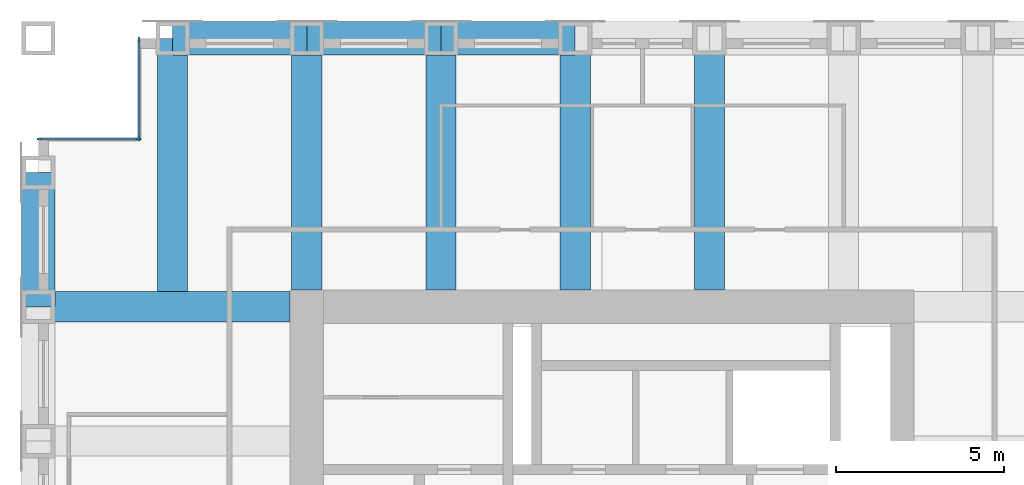
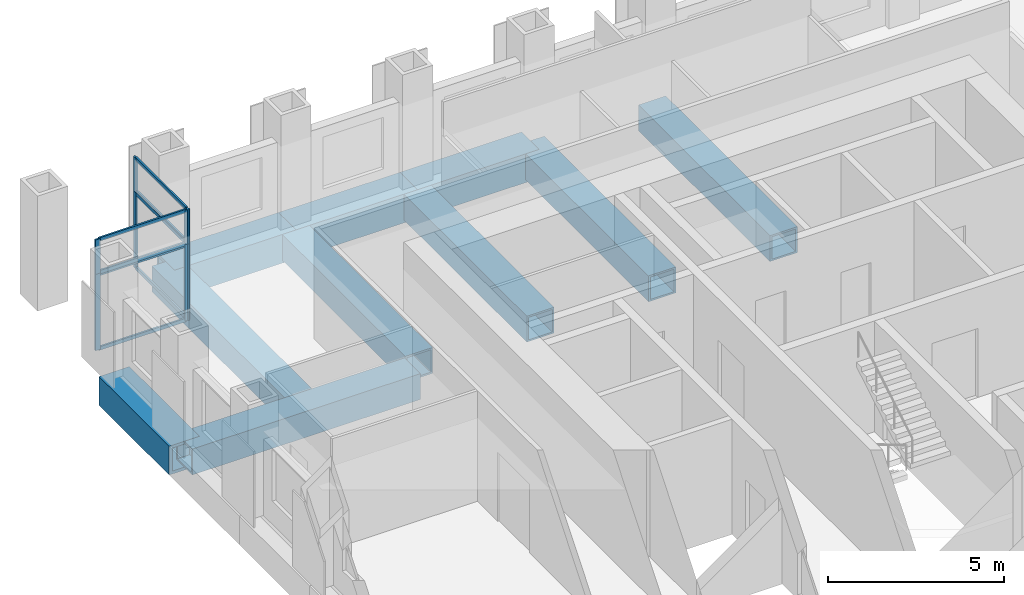
# One storey, part 5 of 12: 16 members, 10 beams, 4 elements without a shape of their own.
"""IFC4 building model written with IfcOpenShell, lengths in metres."""

import ifcopenshell
import ifcopenshell.guid

model = None  # the IFC model being written
_history = None  # IfcOwnerHistory: only IFC2X3 demands one
_inside = {}  # id of a spatial element -> (the spatial element, [elements in it])
_under = {}  # id of a project, library or spatial element -> (it, [spatial elements below it])
_declared = {}  # id of a project -> (the project, [libraries it declares])
_typed = {}  # id of a type object -> (the type object, [elements of that type])
_made_of = {}  # id of a material, layer set ... -> (it, [elements and type objects made of it])


def new_model(schema):
    """Start an empty IFC model of exactly this schema.

    Asked for "IFC4X3", IfcOpenShell would pick the latest addendum, in which some entities
    have other attributes; the version numbers below select the first issue.
    IFC2X3 requires an IfcOwnerHistory on every rooted entity: one is made here for all.
    """
    global model, _history
    if schema == "IFC4X3":
        model = ifcopenshell.file(schema_version=(4, 3, 0, 0))
    else:
        model = ifcopenshell.file(schema=schema)
    _inside.clear()
    _under.clear()
    _declared.clear()
    _typed.clear()
    _made_of.clear()
    _history = None
    if model.schema == "IFC2X3":
        org = make("IfcOrganization", Name="unknown")
        user = make(
            "IfcPersonAndOrganization",
            ThePerson=make("IfcPerson", FamilyName="unknown"),
            TheOrganization=org,
        )
        app = make(
            "IfcApplication",
            ApplicationDeveloper=org,
            Version="unknown",
            ApplicationFullName="unknown",
            ApplicationIdentifier="unknown",
        )
        _history = make(
            "IfcOwnerHistory",
            OwningUser=user,
            OwningApplication=app,
            ChangeAction="ADDED",
            CreationDate=0,
        )
    return model


def make(cls, **values):
    """One entity of the class cls with the attributes given. An attribute that is None is left unset."""
    return model.create_entity(
        cls, **{name: value for name, value in values.items() if value is not None}
    )


def rooted(cls, **values):
    """An entity with a GlobalId (a new one), such as an element, a storey or a relation."""
    return make(cls, GlobalId=ifcopenshell.guid.new(), OwnerHistory=_history, **values)


def si_unit(unit_type, name, prefix=None):
    """IfcSIUnit, for example si_unit("LENGTHUNIT", "METRE", prefix="MILLI")."""
    return make("IfcSIUnit", UnitType=unit_type, Prefix=prefix, Name=name)


def assignment(units):
    """IfcUnitAssignment: the units of a project."""
    return None if units is None else make("IfcUnitAssignment", Units=units)


def point(xyz):
    """IfcCartesianPoint."""
    return None if xyz is None else make("IfcCartesianPoint", Coordinates=xyz)


def direction(xyz):
    """IfcDirection."""
    return None if xyz is None else make("IfcDirection", DirectionRatios=xyz)


def frame(location, z_axis=None, x_axis=None):
    """IfcAxis2Placement3D, a coordinate frame: its origin and axes. An axis left out is left unset."""
    return make(
        "IfcAxis2Placement3D",
        Location=point(location),
        Axis=direction(z_axis),
        RefDirection=direction(x_axis),
    )


def frame_2d(location, x_axis=None):
    """IfcAxis2Placement2D, a coordinate frame in the plane: its origin and x axis."""
    return make(
        "IfcAxis2Placement2D", Location=point(location), RefDirection=direction(x_axis)
    )


def origin():
    """The frame at (0, 0, 0) with its axes left unset."""
    return frame((0.0, 0.0, 0.0))


def origin_2d():
    """The frame at (0, 0) in the plane with its x axis left unset."""
    return frame_2d((0.0, 0.0))


def place(relative_to, where):
    """IfcLocalPlacement: puts the frame where relative to a parent placement (None: the world)."""
    return make(
        "IfcLocalPlacement", PlacementRelTo=relative_to, RelativePlacement=where
    )


def context(
    kind, dimensions, precision=None, world=None, true_north=None, identifier=None
):
    """IfcGeometricRepresentationContext, for example the 3D "Model" context."""
    return make(
        "IfcGeometricRepresentationContext",
        ContextIdentifier=identifier,
        ContextType=kind,
        CoordinateSpaceDimension=dimensions,
        Precision=precision,
        WorldCoordinateSystem=world,
        TrueNorth=true_north,
    )


def subcontext(parent, identifier, kind, view, scale=None):
    """IfcGeometricRepresentationSubContext, for example "Body" below "Model"."""
    return make(
        "IfcGeometricRepresentationSubContext",
        ContextIdentifier=identifier,
        ContextType=kind,
        ParentContext=parent,
        TargetScale=scale,
        TargetView=view,
    )


def project(units=None, contexts=None):
    """IfcProject with its units and contexts."""
    return rooted(
        "IfcProject",
        Name="project",
        RepresentationContexts=contexts,
        UnitsInContext=assignment(units),
    )


def spatial(cls, under=None, at=None, **own):
    """A site, building, storey or space (cls), placed at a placement, below another one or the project."""
    s = rooted(cls, ObjectPlacement=at, **own)
    if under is not None:
        _under.setdefault(under.id(), (under, []))[1].append(s)
    return s


def profile(cls, at=None, kind="AREA", **sizes):
    """A parametric profile (cls). Its sizes go by their IFC names, for example OverallWidth=200.0."""
    return make(cls, ProfileType=kind, Position=at, **sizes)


def rectangle(**sizes):
    """IfcRectangleProfileDef."""
    return profile("IfcRectangleProfileDef", **sizes)


def hollow_rectangle(**sizes):
    """IfcRectangleHollowProfileDef."""
    return profile("IfcRectangleHollowProfileDef", **sizes)


def extrude(swept, where, along, depth):
    """IfcExtrudedAreaSolid: the profile swept, set in the frame where, extruded along a direction by depth."""
    return make(
        "IfcExtrudedAreaSolid",
        SweptArea=swept,
        Position=where,
        ExtrudedDirection=direction(along),
        Depth=depth,
    )


def shape(context_of_items, identifier, shape_type, items):
    """IfcShapeRepresentation: the items that make up one representation, for example the "Body"."""
    return make(
        "IfcShapeRepresentation",
        ContextOfItems=context_of_items,
        RepresentationIdentifier=identifier,
        RepresentationType=shape_type,
        Items=items,
    )


def material(Name=None, Category=None):
    """IfcMaterial."""
    return make("IfcMaterial", Name=Name, Category=Category)


def material_profile(
    of_material, cross_section, Name=None, Category=None, Priority=None
):
    """IfcMaterialProfile: a cross section and its material."""
    return make(
        "IfcMaterialProfile",
        Name=Name,
        Material=of_material,
        Profile=cross_section,
        Priority=Priority,
        Category=Category,
    )


def profile_set(profiles, Name=None, composite=None):
    """IfcMaterialProfileSet."""
    return make(
        "IfcMaterialProfileSet",
        Name=Name,
        MaterialProfiles=profiles,
        CompositeProfile=composite,
    )


def made_of(thing, what):
    """Note that an element or type object is made of a material, layer set ...; save() writes the relation."""
    if what is not None:
        _made_of.setdefault(what.id(), (what, []))[1].append(thing)
    return thing


def type_object(cls, material=None, **own):
    """A type object (cls), such as IfcWallType, which elements share."""
    return made_of(rooted(cls, **own), material)


def element(
    cls,
    number,
    at=None,
    inside=None,
    cuts=None,
    type_object=None,
    material=None,
    context=None,
    identifier="Body",
    shape_type=None,
    held_by="IfcProductDefinitionShape",
    body=None,
    shapes=None,
    **own,
):
    """One element of the class cls, such as IfcWall. Its Tag is "e" and its number.

    at: its placement. inside: the storey or other place that contains it. cuts: it is an
    opening in that element (IfcRelVoidsElement). A single representation is given by context,
    identifier, shape_type and body (its items); several are given by shapes. held_by: the class
    of the entity that holds the representations. save() writes the other relations.
    """
    e = rooted(cls, Tag="e%d" % number, ObjectPlacement=at, **own)
    if body is not None:
        shapes = [shape(context, identifier, shape_type, body)]
    if shapes is not None:
        e.Representation = make(held_by, Representations=shapes)
    if inside is not None:
        _inside.setdefault(inside.id(), (inside, []))[1].append(e)
    if cuts is not None:
        rooted(
            "IfcRelVoidsElement", RelatingBuildingElement=cuts, RelatedOpeningElement=e
        )
    if type_object is not None:
        _typed.setdefault(type_object.id(), (type_object, []))[1].append(e)
    return made_of(e, material)


def aggregate(whole, parts):
    """IfcRelAggregates: a whole, such as a stair, and the parts it consists of."""
    return rooted("IfcRelAggregates", RelatingObject=whole, RelatedObjects=parts)


def save(model, path):
    """Write the relations noted so far, then the file.

    IfcRelAggregates (storeys below a building ...), IfcRelContainedInSpatialStructure (elements
    in a storey), IfcRelDefinesByType, IfcRelAssociatesMaterial and IfcRelDeclares: one each for
    every whole, place, type object, material and project.
    """
    for whole, parts in _under.values():
        aggregate(whole, parts)
    for where, things in _inside.values():
        rooted(
            "IfcRelContainedInSpatialStructure",
            RelatedElements=things,
            RelatingStructure=where,
        )
    for kind, things in _typed.values():
        rooted("IfcRelDefinesByType", RelatedObjects=things, RelatingType=kind)
    for what, things in _made_of.values():
        rooted("IfcRelAssociatesMaterial", RelatedObjects=things, RelatingMaterial=what)
    for by, libraries in _declared.values():
        rooted("IfcRelDeclares", RelatingContext=by, RelatedDefinitions=libraries)
    model.write(path)


model = new_model("IFC4")

# Units and contexts
model_context = context("Model", 3, precision=1e-05, world=origin(), true_north=direction((0.0, 1.0)))
body_context = subcontext(model_context, "Body", "Model", "MODEL_VIEW")
ifc_project = project(units=[si_unit("LENGTHUNIT", "METRE"), si_unit("AREAUNIT", "SQUARE_METRE"), si_unit("VOLUMEUNIT", "CUBIC_METRE"), si_unit("PLANEANGLEUNIT", "RADIAN"), si_unit("MASSUNIT", "GRAM", prefix="KILO")], contexts=[model_context])

# Site, building, storey
site_placement = place(None, origin())
site = spatial("IfcSite", under=ifc_project, at=site_placement, CompositionType="ELEMENT")
building_placement = place(site_placement, origin())
building = spatial("IfcBuilding", under=site, at=building_placement, Name="Rimbunsela Tower", CompositionType="ELEMENT")
storey_placement = place(building_placement, frame((0.0, 0.0, 266.199951171875)))
storey = spatial("IfcBuildingStorey", under=building, at=storey_placement, Name="L64", CompositionType="ELEMENT", Elevation=266.199951171875)

# Beams
ifc_material_1 = material(Name="Steel BJ 55 (fy 410 MPa)", Category="steel")
ifc_material_profile_1 = material_profile(ifc_material_1, hollow_rectangle(XDim=1.0, YDim=1.0, WallThickness=0.10009765625, at=origin_2d()), Name="BOX 1000x1000x100")
ifc_profile_set_1 = profile_set([ifc_material_profile_1], Name="Steel BJ 55 (fy 410 MPa)")
beam_type_1 = type_object("IfcBeamType", Name="Beam BOX 1000x1000x100", PredefinedType="BEAM", material=ifc_profile_set_1)
for number, where, z_axis, x_axis, name in (
    (1, (10.0, 36.0, -0.64990234375), (0.0, 1.0, 0.0), (-1.0, 0.0, 0.0), "Beam B3 L64"),
    (2, (14.0, 44.0, -0.64990234375), (1.0, 0.0, 0.0), (0.0, 1.0, 0.0), "Beam B3 L64"),
    (3, (18.0, 44.0, -0.64990234375), (1.0, 0.0, 0.0), (0.0, 1.0, 0.0), "Beam B3 L64"),
    (4, (22.0, 44.0, -0.64990234375), (1.0, 0.0, 0.0), (0.0, 1.0, 0.0), "Beam B3 L64"),
):
    element("IfcBeam", number, at=place(storey_placement, frame(where, z_axis=z_axis, x_axis=x_axis)), inside=storey, type_object=beam_type_1, Name=name, PredefinedType="BEAM", context=body_context, shape_type="SweptSolid", body=[
        extrude(hollow_rectangle(XDim=1.0, YDim=1.0, WallThickness=0.10009765625, at=origin_2d()), origin(), (0.0, 0.0, 1.0), 4.0),
    ])
ifc_material_2 = material(Name="Steel BJ 55 (fy 410 MPa)", Category="steel")
ifc_material_profile_2 = material_profile(ifc_material_2, hollow_rectangle(XDim=0.89990234375, YDim=0.89990234375, WallThickness=0.06005859375, at=origin_2d()), Name="BOX 900x900x60")
ifc_profile_set_2 = profile_set([ifc_material_profile_2], Name="Steel BJ 55 (fy 410 MPa)")
beam_type_2 = type_object("IfcBeamType", Name="Beam BOX 900x900x60", PredefinedType="BEAM", material=ifc_profile_set_2)
beam_1_placement = place(storey_placement, frame((10.0, 36.0, -0.599853515625), z_axis=(1.0, 0.0, 0.0), x_axis=(0.0, 1.0, 0.0)))
element("IfcBeam", 5, at=beam_1_placement, inside=storey, type_object=beam_type_2, Name="Beam B1 L64", PredefinedType="BEAM", context=body_context, shape_type="SweptSolid", body=[
    extrude(hollow_rectangle(XDim=0.89990234375, YDim=0.89990234375, WallThickness=0.06005859375, at=origin_2d()), origin(), (0.0, 0.0, 1.0), 7.5),
])
beam_2_placement = place(storey_placement, frame((14.0, 36.449951171875, -0.599853515625), z_axis=(0.0, 1.0, 0.0), x_axis=(-1.0, 0.0, 0.0)))
element("IfcBeam", 6, at=beam_2_placement, inside=storey, type_object=beam_type_2, Name="Beam B1 L64", PredefinedType="BEAM", context=body_context, shape_type="SweptSolid", body=[
    extrude(hollow_rectangle(XDim=0.89990234375, YDim=0.89990234375, WallThickness=0.06005859375, at=origin_2d()), origin(), (0.0, 0.0, 1.0), 7.550048828125),
])
for number, where, z_axis, x_axis, name in (
    (7, (18.0, 36.5, -0.599853515625), (0.0, 1.0, 0.0), (-1.0, 0.0, 0.0), "Beam B1 L64"),
    (8, (22.0, 36.5, -0.599853515625), (0.0, 1.0, 0.0), (-1.0, 0.0, 0.0), "Beam B1 L64"),
    (9, (26.0, 36.5, -0.599853515625), (0.0, 1.0, 0.0), (-1.0, 0.0, 0.0), "Beam B1 L64"),
    (10, (30.0, 36.5, -0.599853515625), (0.0, 1.0, 0.0), (-1.0, 0.0, 0.0), "Beam B1 L64"),
):
    element("IfcBeam", number, at=place(storey_placement, frame(where, z_axis=z_axis, x_axis=x_axis)), inside=storey, type_object=beam_type_2, Name=name, PredefinedType="BEAM", context=body_context, shape_type="SweptSolid", body=[
        extrude(hollow_rectangle(XDim=0.89990234375, YDim=0.89990234375, WallThickness=0.06005859375, at=origin_2d()), origin(), (0.0, 0.0, 1.0), 7.5),
    ])

# Curtain wall, members
ifc_material_3 = material(Name="Aluminium curtain wall", Category="aluminium")
curtain_wall_type_1 = type_object("IfcCurtainWallType", Name="Corner glazing", PredefinedType="USERDEFINED", material=ifc_material_3)
curtain_wall_1_placement = place(storey_placement, origin())
curtain_wall_1 = element("IfcCurtainWall", 11, at=curtain_wall_1_placement, inside=storey, type_object=curtain_wall_type_1, Name="Corner glazing L64", ObjectType="CORNER GLAZING", PredefinedType="USERDEFINED")
ifc_material_4 = material(Name="Aluminium mullion", Category="aluminium")
ifc_material_profile_3 = material_profile(ifc_material_4, rectangle(XDim=0.06005859375, YDim=0.159912109375, at=origin_2d()), Name="Mullion 60x160")
ifc_profile_set_3 = profile_set([ifc_material_profile_3], Name="Aluminium mullion")
member_type_1 = type_object("IfcMemberType", Name="Curtain wall mullion 60x160", PredefinedType="MULLION", material=ifc_profile_set_3)
member_1_placement = place(storey_placement, frame((13.0, 43.969970703125, 0.0), z_axis=(0.0, 0.0, 1.0), x_axis=(1.0, 0.0, 0.0)))
member_1 = element("IfcMember", 12, at=member_1_placement, type_object=member_type_1, Name="CW5 mullion 1", PredefinedType="MULLION", context=body_context, shape_type="SweptSolid", body=[
    extrude(rectangle(XDim=0.06005859375, YDim=0.159912109375, at=origin_2d()), origin(), (0.0, 0.0, 1.0), 2.650146484375),
])
member_2_placement = place(storey_placement, frame((13.0, 41.030029296875, 0.0), z_axis=(0.0, 0.0, 1.0), x_axis=(1.0, 0.0, 0.0)))
member_2 = element("IfcMember", 13, at=member_2_placement, type_object=member_type_1, Name="CW5 mullion 2", PredefinedType="MULLION", context=body_context, shape_type="SweptSolid", body=[
    extrude(rectangle(XDim=0.06005859375, YDim=0.159912109375, at=origin_2d()), origin(), (0.0, 0.0, 1.0), 2.650146484375),
])

ifc_material_5 = material(Name="Aluminium curtain wall", Category="aluminium")
curtain_wall_type_2 = type_object("IfcCurtainWallType", Name="Spandrel wall", PredefinedType="USERDEFINED", material=ifc_material_5)
curtain_wall_2_placement = place(storey_placement, origin())
curtain_wall_2 = element("IfcCurtainWall", 14, at=curtain_wall_2_placement, inside=storey, type_object=curtain_wall_type_2, Name="Spandrel wall L64", ObjectType="SPANDREL WALL", PredefinedType="USERDEFINED")
member_3_placement = place(storey_placement, frame((13.0, 43.969970703125, 2.650146484375), z_axis=(0.0, 0.0, 1.0), x_axis=(1.0, 0.0, 0.0)))
member_3 = element("IfcMember", 15, at=member_3_placement, type_object=member_type_1, Name="CW7 mullion 1", PredefinedType="MULLION", context=body_context, shape_type="SweptSolid", body=[
    extrude(rectangle(XDim=0.06005859375, YDim=0.159912109375, at=origin_2d()), origin(), (0.0, 0.0, 1.0), 1.199951171875),
])
member_4_placement = place(storey_placement, frame((13.0, 41.030029296875, 2.650146484375), z_axis=(0.0, 0.0, 1.0), x_axis=(1.0, 0.0, 0.0)))
member_4 = element("IfcMember", 16, at=member_4_placement, type_object=member_type_1, Name="CW7 mullion 2", PredefinedType="MULLION", context=body_context, shape_type="SweptSolid", body=[
    extrude(rectangle(XDim=0.06005859375, YDim=0.159912109375, at=origin_2d()), origin(), (0.0, 0.0, 1.0), 1.199951171875),
])

curtain_wall_3_placement = place(storey_placement, origin())
curtain_wall_3 = element("IfcCurtainWall", 17, at=curtain_wall_3_placement, inside=storey, type_object=curtain_wall_type_1, Name="Corner glazing L64", ObjectType="CORNER GLAZING", PredefinedType="USERDEFINED")
member_5_placement = place(storey_placement, frame((12.969970703125, 41.0, 0.0), z_axis=(0.0, 0.0, 1.0), x_axis=(0.0, -1.0, 0.0)))
member_5 = element("IfcMember", 18, at=member_5_placement, type_object=member_type_1, Name="CW5 mullion 1", PredefinedType="MULLION", context=body_context, shape_type="SweptSolid", body=[
    extrude(rectangle(XDim=0.06005859375, YDim=0.159912109375, at=origin_2d()), origin(), (0.0, 0.0, 1.0), 2.650146484375),
])
member_6_placement = place(storey_placement, frame((10.030029296875, 41.0, 0.0), z_axis=(0.0, 0.0, 1.0), x_axis=(0.0, -1.0, 0.0)))
member_6 = element("IfcMember", 19, at=member_6_placement, type_object=member_type_1, Name="CW5 mullion 2", PredefinedType="MULLION", context=body_context, shape_type="SweptSolid", body=[
    extrude(rectangle(XDim=0.06005859375, YDim=0.159912109375, at=origin_2d()), origin(), (0.0, 0.0, 1.0), 2.650146484375),
])

curtain_wall_4_placement = place(storey_placement, origin())
curtain_wall_4 = element("IfcCurtainWall", 20, at=curtain_wall_4_placement, inside=storey, type_object=curtain_wall_type_2, Name="Spandrel wall L64", ObjectType="SPANDREL WALL", PredefinedType="USERDEFINED")
member_7_placement = place(storey_placement, frame((12.969970703125, 41.0, 2.650146484375), z_axis=(0.0, 0.0, 1.0), x_axis=(0.0, -1.0, 0.0)))
member_7 = element("IfcMember", 21, at=member_7_placement, type_object=member_type_1, Name="CW7 mullion 1", PredefinedType="MULLION", context=body_context, shape_type="SweptSolid", body=[
    extrude(rectangle(XDim=0.06005859375, YDim=0.159912109375, at=origin_2d()), origin(), (0.0, 0.0, 1.0), 1.199951171875),
])
member_8_placement = place(storey_placement, frame((10.030029296875, 41.0, 2.650146484375), z_axis=(0.0, 0.0, 1.0), x_axis=(0.0, -1.0, 0.0)))
member_8 = element("IfcMember", 22, at=member_8_placement, type_object=member_type_1, Name="CW7 mullion 2", PredefinedType="MULLION", context=body_context, shape_type="SweptSolid", body=[
    extrude(rectangle(XDim=0.06005859375, YDim=0.159912109375, at=origin_2d()), origin(), (0.0, 0.0, 1.0), 1.199951171875),
])

# Member
ifc_material_6 = material(Name="Aluminium transom", Category="aluminium")
ifc_material_profile_4 = material_profile(ifc_material_6, rectangle(XDim=0.06005859375, YDim=0.1201171875, at=origin_2d()), Name="Transom 60x120")
ifc_profile_set_4 = profile_set([ifc_material_profile_4], Name="Aluminium transom")
member_type_2 = type_object("IfcMemberType", Name="Curtain wall transom 60x120", PredefinedType="USERDEFINED", material=ifc_profile_set_4)
member_9_placement = place(storey_placement, frame((13.0, 43.93994140625, 0.030029296875), z_axis=(0.0, -1.0, 0.0), x_axis=(1.0, 0.0, 0.0)))
member_9 = element("IfcMember", 23, at=member_9_placement, type_object=member_type_2, Name="CW5 transom 1.1", ObjectType="TRANSOM", PredefinedType="USERDEFINED", context=body_context, shape_type="SweptSolid", body=[
    extrude(rectangle(XDim=0.06005859375, YDim=0.1201171875, at=origin_2d()), origin(), (0.0, 0.0, 1.0), 2.8798828125),
])

member_10_placement = place(storey_placement, frame((13.0, 43.93994140625, 2.6201171875), z_axis=(0.0, -1.0, 0.0), x_axis=(1.0, 0.0, 0.0)))
member_10 = element("IfcMember", 24, at=member_10_placement, type_object=member_type_2, Name="CW5 transom 1.2", ObjectType="TRANSOM", PredefinedType="USERDEFINED", context=body_context, shape_type="SweptSolid", body=[
    extrude(rectangle(XDim=0.06005859375, YDim=0.1201171875, at=origin_2d()), origin(), (0.0, 0.0, 1.0), 2.8798828125),
])

aggregate(curtain_wall_1, [member_1, member_2, member_9, member_10])

member_11_placement = place(storey_placement, frame((13.0, 43.93994140625, 2.679931640625), z_axis=(0.0, -1.0, 0.0), x_axis=(1.0, 0.0, 0.0)))
member_11 = element("IfcMember", 25, at=member_11_placement, type_object=member_type_2, Name="CW7 transom 1.1", ObjectType="TRANSOM", PredefinedType="USERDEFINED", context=body_context, shape_type="SweptSolid", body=[
    extrude(rectangle(XDim=0.06005859375, YDim=0.1201171875, at=origin_2d()), origin(), (0.0, 0.0, 1.0), 2.8798828125),
])

member_12_placement = place(storey_placement, frame((13.0, 43.93994140625, 3.820068359375), z_axis=(0.0, -1.0, 0.0), x_axis=(1.0, 0.0, 0.0)))
member_12 = element("IfcMember", 26, at=member_12_placement, type_object=member_type_2, Name="CW7 transom 1.2", ObjectType="TRANSOM", PredefinedType="USERDEFINED", context=body_context, shape_type="SweptSolid", body=[
    extrude(rectangle(XDim=0.06005859375, YDim=0.1201171875, at=origin_2d()), origin(), (0.0, 0.0, 1.0), 2.8798828125),
])

aggregate(curtain_wall_2, [member_3, member_4, member_11, member_12])

member_13_placement = place(storey_placement, frame((12.93994140625, 41.0, 0.030029296875), z_axis=(-1.0, 0.0, 0.0), x_axis=(0.0, -1.0, 0.0)))
member_13 = element("IfcMember", 27, at=member_13_placement, type_object=member_type_2, Name="CW5 transom 1.1", ObjectType="TRANSOM", PredefinedType="USERDEFINED", context=body_context, shape_type="SweptSolid", body=[
    extrude(rectangle(XDim=0.06005859375, YDim=0.1201171875, at=origin_2d()), origin(), (0.0, 0.0, 1.0), 2.8798828125),
])

member_14_placement = place(storey_placement, frame((12.93994140625, 41.0, 2.6201171875), z_axis=(-1.0, 0.0, 0.0), x_axis=(0.0, -1.0, 0.0)))
member_14 = element("IfcMember", 28, at=member_14_placement, type_object=member_type_2, Name="CW5 transom 1.2", ObjectType="TRANSOM", PredefinedType="USERDEFINED", context=body_context, shape_type="SweptSolid", body=[
    extrude(rectangle(XDim=0.06005859375, YDim=0.1201171875, at=origin_2d()), origin(), (0.0, 0.0, 1.0), 2.8798828125),
])

aggregate(curtain_wall_3, [member_5, member_6, member_13, member_14])

member_15_placement = place(storey_placement, frame((12.93994140625, 41.0, 2.679931640625), z_axis=(-1.0, 0.0, 0.0), x_axis=(0.0, -1.0, 0.0)))
member_15 = element("IfcMember", 29, at=member_15_placement, type_object=member_type_2, Name="CW7 transom 1.1", ObjectType="TRANSOM", PredefinedType="USERDEFINED", context=body_context, shape_type="SweptSolid", body=[
    extrude(rectangle(XDim=0.06005859375, YDim=0.1201171875, at=origin_2d()), origin(), (0.0, 0.0, 1.0), 2.8798828125),
])

member_16_placement = place(storey_placement, frame((12.93994140625, 41.0, 3.820068359375), z_axis=(-1.0, 0.0, 0.0), x_axis=(0.0, -1.0, 0.0)))
member_16 = element("IfcMember", 30, at=member_16_placement, type_object=member_type_2, Name="CW7 transom 1.2", ObjectType="TRANSOM", PredefinedType="USERDEFINED", context=body_context, shape_type="SweptSolid", body=[
    extrude(rectangle(XDim=0.06005859375, YDim=0.1201171875, at=origin_2d()), origin(), (0.0, 0.0, 1.0), 2.8798828125),
])

aggregate(curtain_wall_4, [member_7, member_8, member_15, member_16])

save(model, "model.ifc")
